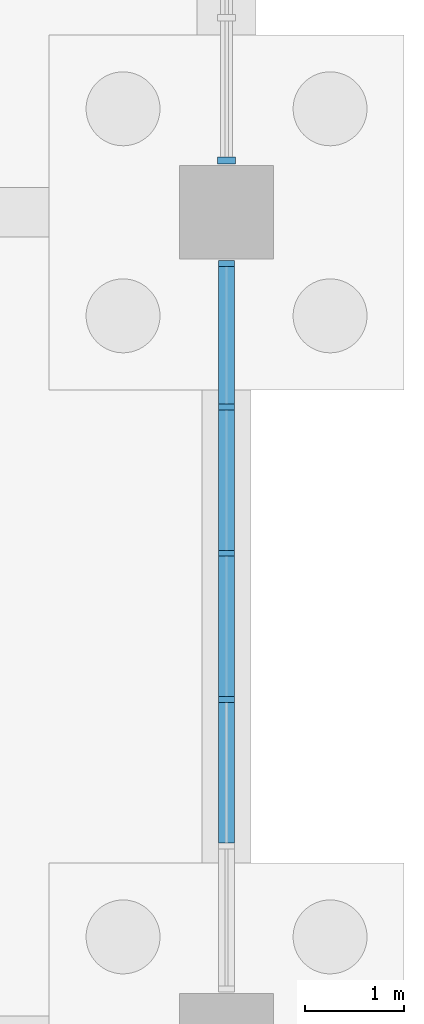
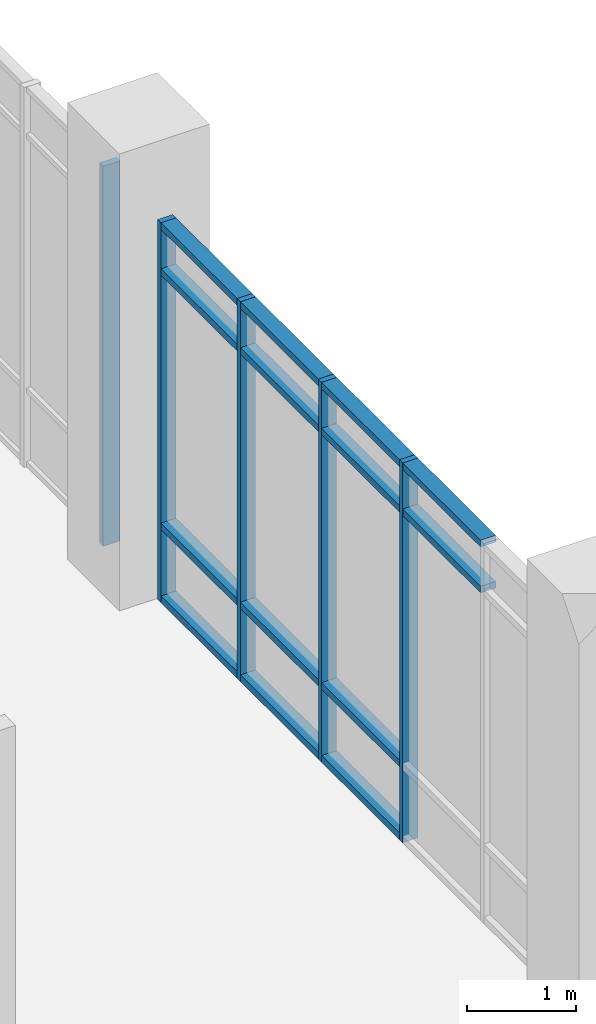
# One storey, part 66 of 136: 19 members, 2 elements without a shape of their own.
"""IFC4 building model written with IfcOpenShell, lengths in metres."""

from ifc_helpers import new_model, si_unit, direction, frame, origin, origin_2d, place, context, subcontext, project, spatial, rectangle, extrude, material, material_profile, profile_set, type_object, element, aggregate, save


model = new_model("IFC4")

# Units and contexts
model_context = context("Model", 3, precision=1e-05, world=origin(), true_north=direction((0.0, 1.0)))
body_context = subcontext(model_context, "Body", "Model", "MODEL_VIEW")
ifc_project = project(units=[si_unit("LENGTHUNIT", "METRE"), si_unit("AREAUNIT", "SQUARE_METRE"), si_unit("VOLUMEUNIT", "CUBIC_METRE"), si_unit("PLANEANGLEUNIT", "RADIAN"), si_unit("MASSUNIT", "GRAM", prefix="KILO")], contexts=[model_context])

# Site, building, storey
site_placement = place(None, origin())
site = spatial("IfcSite", under=ifc_project, at=site_placement, CompositionType="ELEMENT")
building_placement = place(site_placement, origin())
building = spatial("IfcBuilding", under=site, at=building_placement, Name="Oolite Switchyard Hospital", CompositionType="ELEMENT")
storey_placement = place(building_placement, origin())
storey = spatial("IfcBuildingStorey", under=building, at=storey_placement, Name="L00", CompositionType="ELEMENT", Elevation=0.0)

# Curtain wall, members
ifc_material_1 = material(Name="Thermally broken aluminum frame with laminated impact glazing", Category="aluminium")
curtain_wall_type = type_object("IfcCurtainWallType", Name="CW-UNIT-84X51", PredefinedType="USERDEFINED", material=ifc_material_1)
curtain_wall_1_placement = place(storey_placement, origin())
curtain_wall_1 = element("IfcCurtainWall", 1, at=curtain_wall_1_placement, inside=storey, type_object=curtain_wall_type, Name="L00 Unitised Curtain Wall 93", ObjectType="UNITISED", PredefinedType="USERDEFINED")
ifc_material_2 = material(Name="Aluminium 6063-T6", Category="aluminium")
ifc_material_profile_1 = material_profile(ifc_material_2, rectangle(XDim=0.159912109375, YDim=0.06005859375, at=origin_2d()), Name="CWM60X160")
ifc_profile_set_1 = profile_set([ifc_material_profile_1], Name="Aluminium 6063-T6")
member_type_1 = type_object("IfcMemberType", Name="CW-MUL-180", PredefinedType="MULLION", material=ifc_profile_set_1)
member_1_placement = place(storey_placement, frame((211.199951171875, 125.47998046875, 0.0), z_axis=(0.0, 0.0, 1.0), x_axis=(1.0, 0.0, 0.0)))
member_1 = element("IfcMember", 2, at=member_1_placement, type_object=member_type_1, Name="CW-06 mullion 1", PredefinedType="MULLION", context=body_context, shape_type="SweptSolid", body=[
    extrude(rectangle(XDim=0.159912109375, YDim=0.06005859375, at=origin_2d()), origin(), (0.0, 0.0, 1.0), 4.239990234375),
])
member_2_placement = place(storey_placement, frame((211.199951171875, 124.02587890625, 0.0), z_axis=(0.0, 0.0, 1.0), x_axis=(1.0, 0.0, 0.0)))
member_2 = element("IfcMember", 3, at=member_2_placement, type_object=member_type_1, Name="CW-06 mullion 2", PredefinedType="MULLION", context=body_context, shape_type="SweptSolid", body=[
    extrude(rectangle(XDim=0.159912109375, YDim=0.06005859375, at=origin_2d()), origin(), (0.0, 0.0, 1.0), 4.239990234375),
])
member_3_placement = place(storey_placement, frame((211.199951171875, 122.5419921875, 0.0), z_axis=(0.0, 0.0, 1.0), x_axis=(1.0, 0.0, 0.0)))
member_3 = element("IfcMember", 4, at=member_3_placement, type_object=member_type_1, Name="CW-06 mullion 3", PredefinedType="MULLION", context=body_context, shape_type="SweptSolid", body=[
    extrude(rectangle(XDim=0.159912109375, YDim=0.06005859375, at=origin_2d()), origin(), (0.0, 0.0, 1.0), 4.239990234375),
])
member_4_placement = place(storey_placement, frame((211.199951171875, 121.05810546875, 0.0), z_axis=(0.0, 0.0, 1.0), x_axis=(1.0, 0.0, 0.0)))
member_4 = element("IfcMember", 5, at=member_4_placement, type_object=member_type_1, Name="CW-06 mullion 4", PredefinedType="MULLION", context=body_context, shape_type="SweptSolid", body=[
    extrude(rectangle(XDim=0.159912109375, YDim=0.06005859375, at=origin_2d()), origin(), (0.0, 0.0, 1.0), 4.239990234375),
])

# Curtain wall, member
curtain_wall_2_placement = place(storey_placement, origin())
curtain_wall_2 = element("IfcCurtainWall", 6, at=curtain_wall_2_placement, inside=storey, type_object=curtain_wall_type, Name="L00 Unitised Curtain Wall 94", ObjectType="UNITISED", PredefinedType="USERDEFINED")
ifc_material_profile_2 = material_profile(ifc_material_2, rectangle(XDim=0.179931640625, YDim=0.070068359375, at=origin_2d()), Name="CWM70X180")
ifc_profile_set_2 = profile_set([ifc_material_profile_2], Name="Aluminium 6063-T6")
member_type_2 = type_object("IfcMemberType", Name="CW-MUL-220", PredefinedType="MULLION", material=ifc_profile_set_2)
member_5_placement = place(storey_placement, frame((211.199951171875, 126.52490234375, 0.0), z_axis=(0.0, 0.0, 1.0), x_axis=(1.0, 0.0, 0.0)))
member_5 = element("IfcMember", 7, at=member_5_placement, type_object=member_type_2, Name="CW-06 mullion 6", PredefinedType="MULLION", context=body_context, shape_type="SweptSolid", body=[
    extrude(rectangle(XDim=0.179931640625, YDim=0.070068359375, at=origin_2d()), origin(), (0.0, 0.0, 1.0), 4.239990234375),
])
aggregate(curtain_wall_2, [member_5])

# Member
ifc_material_profile_3 = material_profile(ifc_material_2, rectangle(XDim=0.159912109375, YDim=0.074951171875, at=origin_2d()), Name="CWT75X160")
ifc_profile_set_3 = profile_set([ifc_material_profile_3], Name="Aluminium 6063-T6")
member_type_3 = type_object("IfcMemberType", Name="CW-TRN-180", PredefinedType="USERDEFINED", material=ifc_profile_set_3)
member_6_placement = place(storey_placement, frame((211.199951171875, 125.449951171875, 0.03759765625), z_axis=(0.0, -1.0, 0.0), x_axis=(1.0, 0.0, 0.0)))
member_6 = element("IfcMember", 8, at=member_6_placement, type_object=member_type_3, Name="CW-06 transom 1.1", ObjectType="TRANSOM", PredefinedType="USERDEFINED", context=body_context, shape_type="SweptSolid", body=[
    extrude(rectangle(XDim=0.159912109375, YDim=0.074951171875, at=origin_2d()), origin(), (0.0, 0.0, 1.0), 1.39404296875),
])

member_7_placement = place(storey_placement, frame((211.199951171875, 125.449951171875, 0.85009765625), z_axis=(0.0, -1.0, 0.0), x_axis=(1.0, 0.0, 0.0)))
member_7 = element("IfcMember", 9, at=member_7_placement, type_object=member_type_3, Name="CW-06 transom 1.2", ObjectType="TRANSOM", PredefinedType="USERDEFINED", context=body_context, shape_type="SweptSolid", body=[
    extrude(rectangle(XDim=0.159912109375, YDim=0.074951171875, at=origin_2d()), origin(), (0.0, 0.0, 1.0), 1.39404296875),
])

member_8_placement = place(storey_placement, frame((211.199951171875, 125.449951171875, 3.68994140625), z_axis=(0.0, -1.0, 0.0), x_axis=(1.0, 0.0, 0.0)))
member_8 = element("IfcMember", 10, at=member_8_placement, type_object=member_type_3, Name="CW-06 transom 1.3", ObjectType="TRANSOM", PredefinedType="USERDEFINED", context=body_context, shape_type="SweptSolid", body=[
    extrude(rectangle(XDim=0.159912109375, YDim=0.074951171875, at=origin_2d()), origin(), (0.0, 0.0, 1.0), 1.39404296875),
])

member_9_placement = place(storey_placement, frame((211.199951171875, 125.449951171875, 4.202392578125), z_axis=(0.0, -1.0, 0.0), x_axis=(1.0, 0.0, 0.0)))
member_9 = element("IfcMember", 11, at=member_9_placement, type_object=member_type_3, Name="CW-06 transom 1.4", ObjectType="TRANSOM", PredefinedType="USERDEFINED", context=body_context, shape_type="SweptSolid", body=[
    extrude(rectangle(XDim=0.159912109375, YDim=0.074951171875, at=origin_2d()), origin(), (0.0, 0.0, 1.0), 1.39404296875),
])

member_10_placement = place(storey_placement, frame((211.199951171875, 123.99609375, 0.03759765625), z_axis=(0.0, -1.0, 0.0), x_axis=(1.0, 0.0, 0.0)))
member_10 = element("IfcMember", 12, at=member_10_placement, type_object=member_type_3, Name="CW-06 transom 2.1", ObjectType="TRANSOM", PredefinedType="USERDEFINED", context=body_context, shape_type="SweptSolid", body=[
    extrude(rectangle(XDim=0.159912109375, YDim=0.074951171875, at=origin_2d()), origin(), (0.0, 0.0, 1.0), 1.424072265625),
])

member_11_placement = place(storey_placement, frame((211.199951171875, 123.99609375, 0.85009765625), z_axis=(0.0, -1.0, 0.0), x_axis=(1.0, 0.0, 0.0)))
member_11 = element("IfcMember", 13, at=member_11_placement, type_object=member_type_3, Name="CW-06 transom 2.2", ObjectType="TRANSOM", PredefinedType="USERDEFINED", context=body_context, shape_type="SweptSolid", body=[
    extrude(rectangle(XDim=0.159912109375, YDim=0.074951171875, at=origin_2d()), origin(), (0.0, 0.0, 1.0), 1.424072265625),
])

member_12_placement = place(storey_placement, frame((211.199951171875, 123.99609375, 3.68994140625), z_axis=(0.0, -1.0, 0.0), x_axis=(1.0, 0.0, 0.0)))
member_12 = element("IfcMember", 14, at=member_12_placement, type_object=member_type_3, Name="CW-06 transom 2.3", ObjectType="TRANSOM", PredefinedType="USERDEFINED", context=body_context, shape_type="SweptSolid", body=[
    extrude(rectangle(XDim=0.159912109375, YDim=0.074951171875, at=origin_2d()), origin(), (0.0, 0.0, 1.0), 1.424072265625),
])

member_13_placement = place(storey_placement, frame((211.199951171875, 123.99609375, 4.202392578125), z_axis=(0.0, -1.0, 0.0), x_axis=(1.0, 0.0, 0.0)))
member_13 = element("IfcMember", 15, at=member_13_placement, type_object=member_type_3, Name="CW-06 transom 2.4", ObjectType="TRANSOM", PredefinedType="USERDEFINED", context=body_context, shape_type="SweptSolid", body=[
    extrude(rectangle(XDim=0.159912109375, YDim=0.074951171875, at=origin_2d()), origin(), (0.0, 0.0, 1.0), 1.424072265625),
])

member_14_placement = place(storey_placement, frame((211.199951171875, 122.511962890625, 0.03759765625), z_axis=(0.0, -1.0, 0.0), x_axis=(1.0, 0.0, 0.0)))
member_14 = element("IfcMember", 16, at=member_14_placement, type_object=member_type_3, Name="CW-06 transom 3.1", ObjectType="TRANSOM", PredefinedType="USERDEFINED", context=body_context, shape_type="SweptSolid", body=[
    extrude(rectangle(XDim=0.159912109375, YDim=0.074951171875, at=origin_2d()), origin(), (0.0, 0.0, 1.0), 1.424072265625),
])

member_15_placement = place(storey_placement, frame((211.199951171875, 122.511962890625, 0.85009765625), z_axis=(0.0, -1.0, 0.0), x_axis=(1.0, 0.0, 0.0)))
member_15 = element("IfcMember", 17, at=member_15_placement, type_object=member_type_3, Name="CW-06 transom 3.2", ObjectType="TRANSOM", PredefinedType="USERDEFINED", context=body_context, shape_type="SweptSolid", body=[
    extrude(rectangle(XDim=0.159912109375, YDim=0.074951171875, at=origin_2d()), origin(), (0.0, 0.0, 1.0), 1.424072265625),
])

member_16_placement = place(storey_placement, frame((211.199951171875, 122.511962890625, 3.68994140625), z_axis=(0.0, -1.0, 0.0), x_axis=(1.0, 0.0, 0.0)))
member_16 = element("IfcMember", 18, at=member_16_placement, type_object=member_type_3, Name="CW-06 transom 3.3", ObjectType="TRANSOM", PredefinedType="USERDEFINED", context=body_context, shape_type="SweptSolid", body=[
    extrude(rectangle(XDim=0.159912109375, YDim=0.074951171875, at=origin_2d()), origin(), (0.0, 0.0, 1.0), 1.424072265625),
])

member_17_placement = place(storey_placement, frame((211.199951171875, 122.511962890625, 4.202392578125), z_axis=(0.0, -1.0, 0.0), x_axis=(1.0, 0.0, 0.0)))
member_17 = element("IfcMember", 19, at=member_17_placement, type_object=member_type_3, Name="CW-06 transom 3.4", ObjectType="TRANSOM", PredefinedType="USERDEFINED", context=body_context, shape_type="SweptSolid", body=[
    extrude(rectangle(XDim=0.159912109375, YDim=0.074951171875, at=origin_2d()), origin(), (0.0, 0.0, 1.0), 1.424072265625),
])

member_18_placement = place(storey_placement, frame((211.199951171875, 121.028076171875, 3.68994140625), z_axis=(0.0, -1.0, 0.0), x_axis=(1.0, 0.0, 0.0)))
member_18 = element("IfcMember", 20, at=member_18_placement, type_object=member_type_3, Name="CW-06 transom 4.3", ObjectType="TRANSOM", PredefinedType="USERDEFINED", context=body_context, shape_type="SweptSolid", body=[
    extrude(rectangle(XDim=0.159912109375, YDim=0.074951171875, at=origin_2d()), origin(), (0.0, 0.0, 1.0), 1.424072265625),
])

member_19_placement = place(storey_placement, frame((211.199951171875, 121.028076171875, 4.202392578125), z_axis=(0.0, -1.0, 0.0), x_axis=(1.0, 0.0, 0.0)))
member_19 = element("IfcMember", 21, at=member_19_placement, type_object=member_type_3, Name="CW-06 transom 4.4", ObjectType="TRANSOM", PredefinedType="USERDEFINED", context=body_context, shape_type="SweptSolid", body=[
    extrude(rectangle(XDim=0.159912109375, YDim=0.074951171875, at=origin_2d()), origin(), (0.0, 0.0, 1.0), 1.424072265625),
])

aggregate(curtain_wall_1, [member_1, member_2, member_3, member_4, member_6, member_7, member_8, member_9, member_10, member_11, member_12, member_13, member_14, member_15, member_16, member_17, member_18, member_19])

save(model, "model.ifc")
